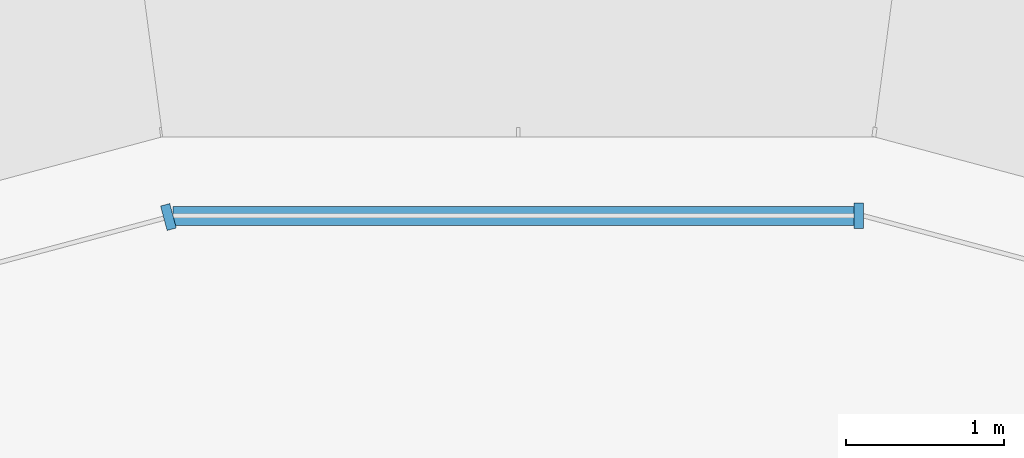
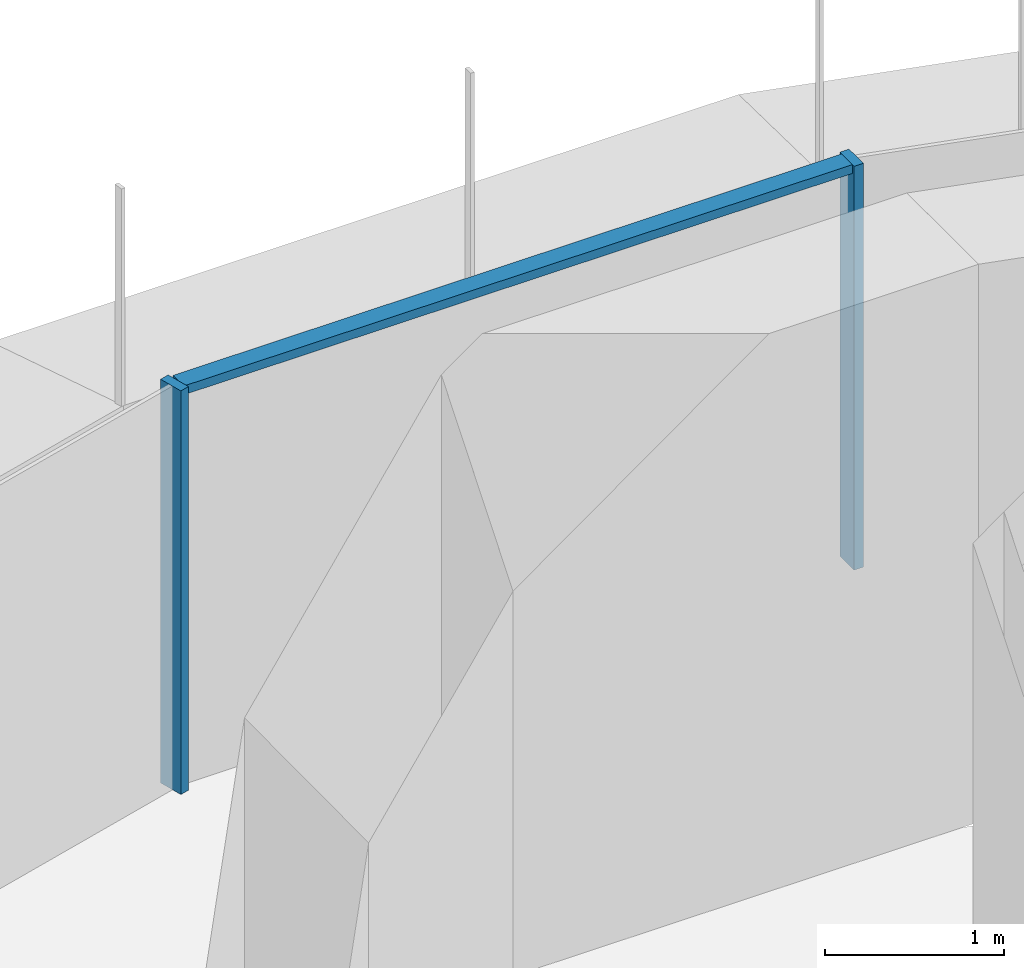
# One storey, part 11 of 21: 3 members, 2 elements without a shape of their own.
"""IFC4 building model written with IfcOpenShell, lengths in metres."""

import ifcopenshell
import ifcopenshell.guid

model = None  # the IFC model being written
_history = None  # IfcOwnerHistory: only IFC2X3 demands one
_inside = {}  # id of a spatial element -> (the spatial element, [elements in it])
_under = {}  # id of a project, library or spatial element -> (it, [spatial elements below it])
_declared = {}  # id of a project -> (the project, [libraries it declares])
_typed = {}  # id of a type object -> (the type object, [elements of that type])
_made_of = {}  # id of a material, layer set ... -> (it, [elements and type objects made of it])


def new_model(schema):
    """Start an empty IFC model of exactly this schema.

    Asked for "IFC4X3", IfcOpenShell would pick the latest addendum, in which some entities
    have other attributes; the version numbers below select the first issue.
    IFC2X3 requires an IfcOwnerHistory on every rooted entity: one is made here for all.
    """
    global model, _history
    if schema == "IFC4X3":
        model = ifcopenshell.file(schema_version=(4, 3, 0, 0))
    else:
        model = ifcopenshell.file(schema=schema)
    _inside.clear()
    _under.clear()
    _declared.clear()
    _typed.clear()
    _made_of.clear()
    _history = None
    if model.schema == "IFC2X3":
        org = make("IfcOrganization", Name="unknown")
        user = make(
            "IfcPersonAndOrganization",
            ThePerson=make("IfcPerson", FamilyName="unknown"),
            TheOrganization=org,
        )
        app = make(
            "IfcApplication",
            ApplicationDeveloper=org,
            Version="unknown",
            ApplicationFullName="unknown",
            ApplicationIdentifier="unknown",
        )
        _history = make(
            "IfcOwnerHistory",
            OwningUser=user,
            OwningApplication=app,
            ChangeAction="ADDED",
            CreationDate=0,
        )
    return model


def make(cls, **values):
    """One entity of the class cls with the attributes given. An attribute that is None is left unset."""
    return model.create_entity(
        cls, **{name: value for name, value in values.items() if value is not None}
    )


def rooted(cls, **values):
    """An entity with a GlobalId (a new one), such as an element, a storey or a relation."""
    return make(cls, GlobalId=ifcopenshell.guid.new(), OwnerHistory=_history, **values)


def si_unit(unit_type, name, prefix=None):
    """IfcSIUnit, for example si_unit("LENGTHUNIT", "METRE", prefix="MILLI")."""
    return make("IfcSIUnit", UnitType=unit_type, Prefix=prefix, Name=name)


def assignment(units):
    """IfcUnitAssignment: the units of a project."""
    return None if units is None else make("IfcUnitAssignment", Units=units)


def point(xyz):
    """IfcCartesianPoint."""
    return None if xyz is None else make("IfcCartesianPoint", Coordinates=xyz)


def direction(xyz):
    """IfcDirection."""
    return None if xyz is None else make("IfcDirection", DirectionRatios=xyz)


def frame(location, z_axis=None, x_axis=None):
    """IfcAxis2Placement3D, a coordinate frame: its origin and axes. An axis left out is left unset."""
    return make(
        "IfcAxis2Placement3D",
        Location=point(location),
        Axis=direction(z_axis),
        RefDirection=direction(x_axis),
    )


def origin():
    """The frame at (0, 0, 0) with its axes left unset."""
    return frame((0.0, 0.0, 0.0))


def place(relative_to, where):
    """IfcLocalPlacement: puts the frame where relative to a parent placement (None: the world)."""
    return make(
        "IfcLocalPlacement", PlacementRelTo=relative_to, RelativePlacement=where
    )


def context(
    kind, dimensions, precision=None, world=None, true_north=None, identifier=None
):
    """IfcGeometricRepresentationContext, for example the 3D "Model" context."""
    return make(
        "IfcGeometricRepresentationContext",
        ContextIdentifier=identifier,
        ContextType=kind,
        CoordinateSpaceDimension=dimensions,
        Precision=precision,
        WorldCoordinateSystem=world,
        TrueNorth=true_north,
    )


def subcontext(parent, identifier, kind, view, scale=None):
    """IfcGeometricRepresentationSubContext, for example "Body" below "Model"."""
    return make(
        "IfcGeometricRepresentationSubContext",
        ContextIdentifier=identifier,
        ContextType=kind,
        ParentContext=parent,
        TargetScale=scale,
        TargetView=view,
    )


def project(units=None, contexts=None):
    """IfcProject with its units and contexts."""
    return rooted(
        "IfcProject",
        Name="project",
        RepresentationContexts=contexts,
        UnitsInContext=assignment(units),
    )


def spatial(cls, under=None, at=None, **own):
    """A site, building, storey or space (cls), placed at a placement, below another one or the project."""
    s = rooted(cls, ObjectPlacement=at, **own)
    if under is not None:
        _under.setdefault(under.id(), (under, []))[1].append(s)
    return s


def polyline(points):
    """IfcPolyline through the points."""
    return make("IfcPolyline", Points=[point(p) for p in points])


def outline(outer, holes=None, kind="AREA"):
    """IfcArbitraryClosedProfileDef: a profile drawn as a closed curve; with holes, ...WithVoids."""
    if holes is None:
        return make("IfcArbitraryClosedProfileDef", ProfileType=kind, OuterCurve=outer)
    return make(
        "IfcArbitraryProfileDefWithVoids",
        ProfileType=kind,
        OuterCurve=outer,
        InnerCurves=holes,
    )


def extrude(swept, where, along, depth):
    """IfcExtrudedAreaSolid: the profile swept, set in the frame where, extruded along a direction by depth."""
    return make(
        "IfcExtrudedAreaSolid",
        SweptArea=swept,
        Position=where,
        ExtrudedDirection=direction(along),
        Depth=depth,
    )


def shape(context_of_items, identifier, shape_type, items):
    """IfcShapeRepresentation: the items that make up one representation, for example the "Body"."""
    return make(
        "IfcShapeRepresentation",
        ContextOfItems=context_of_items,
        RepresentationIdentifier=identifier,
        RepresentationType=shape_type,
        Items=items,
    )


def source(mapping_origin, context_of_items, identifier, shape_type, items):
    """IfcRepresentationMap: a shape defined once, which mapped items show again and again."""
    return make(
        "IfcRepresentationMap",
        MappingOrigin=mapping_origin,
        MappedRepresentation=shape(context_of_items, identifier, shape_type, items),
    )


def transform(
    local_origin,
    x_axis=None,
    y_axis=None,
    z_axis=None,
    scale=None,
    scale2=None,
    scale3=None,
    uniform=True,
):
    """IfcCartesianTransformationOperator3D, or its non-uniform kind. x_axis, y_axis, z_axis: its Axis1, 2, 3."""
    if uniform:
        return make(
            "IfcCartesianTransformationOperator3D",
            Axis1=direction(x_axis),
            Axis2=direction(y_axis),
            LocalOrigin=point(local_origin),
            Scale=scale,
            Axis3=direction(z_axis),
        )
    return make(
        "IfcCartesianTransformationOperator3DnonUniform",
        Axis1=direction(x_axis),
        Axis2=direction(y_axis),
        LocalOrigin=point(local_origin),
        Scale=scale,
        Axis3=direction(z_axis),
        Scale2=scale2,
        Scale3=scale3,
    )


def mapped(mapping_source, mapping_target):
    """IfcMappedItem: shows the shape of a source again, moved by a transform."""
    return make(
        "IfcMappedItem", MappingSource=mapping_source, MappingTarget=mapping_target
    )


def material(Name=None, Category=None):
    """IfcMaterial."""
    return make("IfcMaterial", Name=Name, Category=Category)


def made_of(thing, what):
    """Note that an element or type object is made of a material, layer set ...; save() writes the relation."""
    if what is not None:
        _made_of.setdefault(what.id(), (what, []))[1].append(thing)
    return thing


def type_object(cls, material=None, **own):
    """A type object (cls), such as IfcWallType, which elements share."""
    return made_of(rooted(cls, **own), material)


def element(
    cls,
    number,
    at=None,
    inside=None,
    cuts=None,
    type_object=None,
    material=None,
    context=None,
    identifier="Body",
    shape_type=None,
    held_by="IfcProductDefinitionShape",
    body=None,
    shapes=None,
    **own,
):
    """One element of the class cls, such as IfcWall. Its Tag is "e" and its number.

    at: its placement. inside: the storey or other place that contains it. cuts: it is an
    opening in that element (IfcRelVoidsElement). A single representation is given by context,
    identifier, shape_type and body (its items); several are given by shapes. held_by: the class
    of the entity that holds the representations. save() writes the other relations.
    """
    e = rooted(cls, Tag="e%d" % number, ObjectPlacement=at, **own)
    if body is not None:
        shapes = [shape(context, identifier, shape_type, body)]
    if shapes is not None:
        e.Representation = make(held_by, Representations=shapes)
    if inside is not None:
        _inside.setdefault(inside.id(), (inside, []))[1].append(e)
    if cuts is not None:
        rooted(
            "IfcRelVoidsElement", RelatingBuildingElement=cuts, RelatedOpeningElement=e
        )
    if type_object is not None:
        _typed.setdefault(type_object.id(), (type_object, []))[1].append(e)
    return made_of(e, material)


def aggregate(whole, parts):
    """IfcRelAggregates: a whole, such as a stair, and the parts it consists of."""
    return rooted("IfcRelAggregates", RelatingObject=whole, RelatedObjects=parts)


def save(model, path):
    """Write the relations noted so far, then the file.

    IfcRelAggregates (storeys below a building ...), IfcRelContainedInSpatialStructure (elements
    in a storey), IfcRelDefinesByType, IfcRelAssociatesMaterial and IfcRelDeclares: one each for
    every whole, place, type object, material and project.
    """
    for whole, parts in _under.values():
        aggregate(whole, parts)
    for where, things in _inside.values():
        rooted(
            "IfcRelContainedInSpatialStructure",
            RelatedElements=things,
            RelatingStructure=where,
        )
    for kind, things in _typed.values():
        rooted("IfcRelDefinesByType", RelatedObjects=things, RelatingType=kind)
    for what, things in _made_of.values():
        rooted("IfcRelAssociatesMaterial", RelatedObjects=things, RelatingMaterial=what)
    for by, libraries in _declared.values():
        rooted("IfcRelDeclares", RelatingContext=by, RelatedDefinitions=libraries)
    model.write(path)


model = new_model("IFC4")

# Units and contexts
model_context = context("Model", 3, precision=1e-05, world=origin(), true_north=direction((0.0, 1.0)))
body_context = subcontext(model_context, "Body", "Model", "MODEL_VIEW")
ifc_project = project(units=[si_unit("LENGTHUNIT", "METRE"), si_unit("AREAUNIT", "SQUARE_METRE"), si_unit("VOLUMEUNIT", "CUBIC_METRE"), si_unit("PLANEANGLEUNIT", "RADIAN"), si_unit("MASSUNIT", "GRAM", prefix="KILO")], contexts=[model_context])

# Site, building, storey
site_placement = place(None, origin())
site = spatial("IfcSite", under=ifc_project, at=site_placement, CompositionType="ELEMENT")
building_placement = place(site_placement, origin())
building = spatial("IfcBuilding", under=site, at=building_placement, Name="Zarbagh Exchange Tower", CompositionType="ELEMENT")
storey_placement = place(building_placement, frame((0.0, 0.0, 120.800048828125)))
storey = spatial("IfcBuildingStorey", under=building, at=storey_placement, Name="L28", CompositionType="ELEMENT", Elevation=120.800048828125)

# Curtain wall, member
ifc_material_1 = material(Name="Anodised aluminium frame and glazing", Category="aluminium")
curtain_wall_type = type_object("IfcCurtainWallType", Name="CWA Ribbon glazing, lower zones", PredefinedType="NOTDEFINED", material=ifc_material_1)
curtain_wall_1_placement = place(storey_placement, origin())
curtain_wall_1 = element("IfcCurtainWall", 1, at=curtain_wall_1_placement, inside=storey, type_object=curtain_wall_type, Name="CWA57 curtain wall", PredefinedType="NOTDEFINED")
ifc_material_2 = material(Name="Anodised aluminium frame", Category="aluminium")
member_type_1 = type_object("IfcMemberType", Name="MUA Mullion, anodised aluminium frame", PredefinedType="MULLION", material=ifc_material_2)
shared_shape_1 = source(origin(), body_context, "Body", "SweptSolid", [
    extrude(outline(polyline([(0.0, -0.080078125), (0.06005859375, -0.080078125), (0.06005859375, 0.080078125), (0.0, 0.080078125), (0.0, -0.080078125)])), origin(), (0.0, 0.0, 1.0), 2.75),
])
placement = place(storey_placement, origin())
member_1 = element("IfcMember", 2, at=placement, type_object=member_type_1, Name="CWA57 mullion 1.1", PredefinedType="MULLION", context=body_context, shape_type="MappedRepresentation", body=[
    mapped(shared_shape_1, transform((2.18408203125, 31.0, 0.0), x_axis=(-1.0, 0.0, 0.0), y_axis=(0.0, -1.0, 0.0), z_axis=(0.0, 0.0, 1.0))),
])

curtain_wall_2_placement = place(storey_placement, origin())
curtain_wall_2 = element("IfcCurtainWall", 3, at=curtain_wall_2_placement, inside=storey, type_object=curtain_wall_type, Name="CWA53 curtain wall", PredefinedType="NOTDEFINED")
member_2 = element("IfcMember", 4, at=placement, type_object=member_type_1, Name="CWA53 mullion 1.1", PredefinedType="MULLION", context=body_context, shape_type="MappedRepresentation", body=[
    mapped(shared_shape_1, transform((-2.18408203125, 31.0, 0.0), x_axis=(-0.965924289636, -0.258824779902, 0.0), y_axis=(0.258824779902, -0.965924289636, 0.0), z_axis=(0.0, 0.0, 1.0))),
])
aggregate(curtain_wall_2, [member_2])

# Member
member_type_2 = type_object("IfcMemberType", Name="TRA Transom, anodised aluminium frame", PredefinedType="USERDEFINED", material=ifc_material_2)
shared_shape_2 = source(origin(), body_context, "Body", "SweptSolid", [
    extrude(outline(polyline([(-0.06005859375, -0.06005859375), (0.0, -0.06005859375), (0.0, 0.06005859375), (-0.06005859375, 0.06005859375), (-0.06005859375, -0.06005859375)])), origin(), (0.0, 0.0, 1.0), 4.308349609375),
])
member_3 = element("IfcMember", 5, at=placement, type_object=member_type_2, Name="CWA57 transom 1.1", ObjectType="TRANSOM", PredefinedType="USERDEFINED", context=body_context, shape_type="MappedRepresentation", body=[
    mapped(shared_shape_2, transform((2.124267578125, 31.0, 2.75), x_axis=(0.0, 0.0, 1.0), y_axis=(0.0, 1.0, 0.0), z_axis=(-1.0, 0.0, 0.0))),
])

aggregate(curtain_wall_1, [member_1, member_3])

save(model, "model.ifc")
